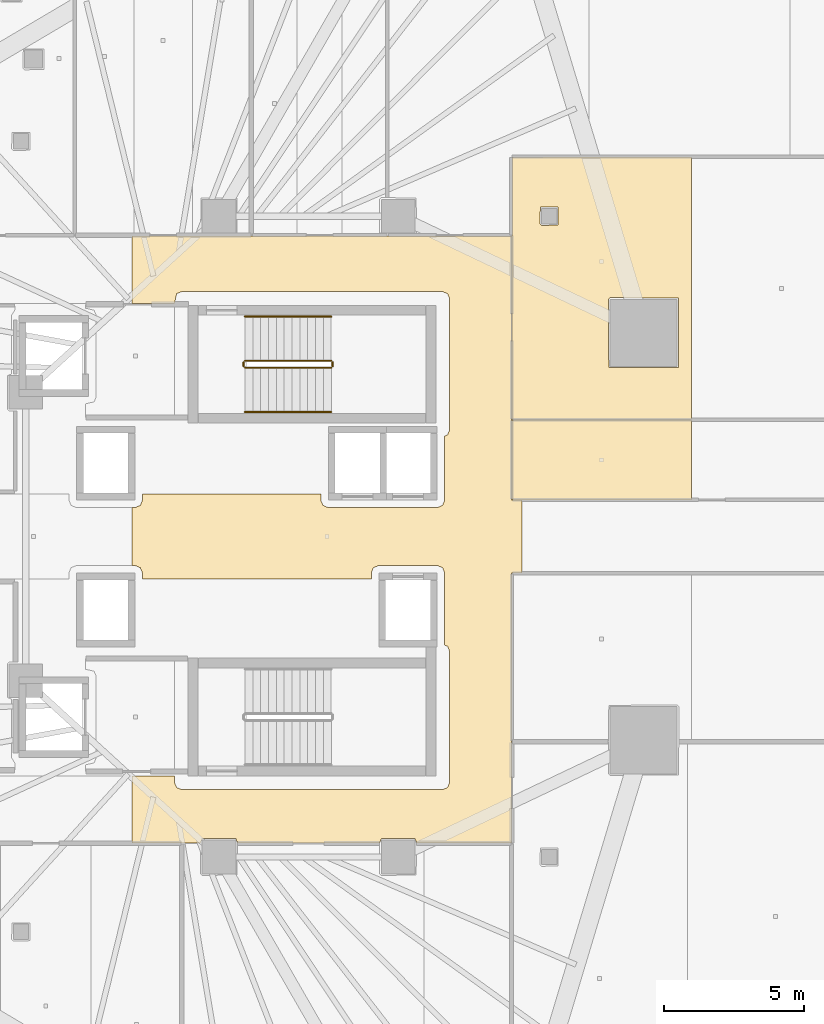
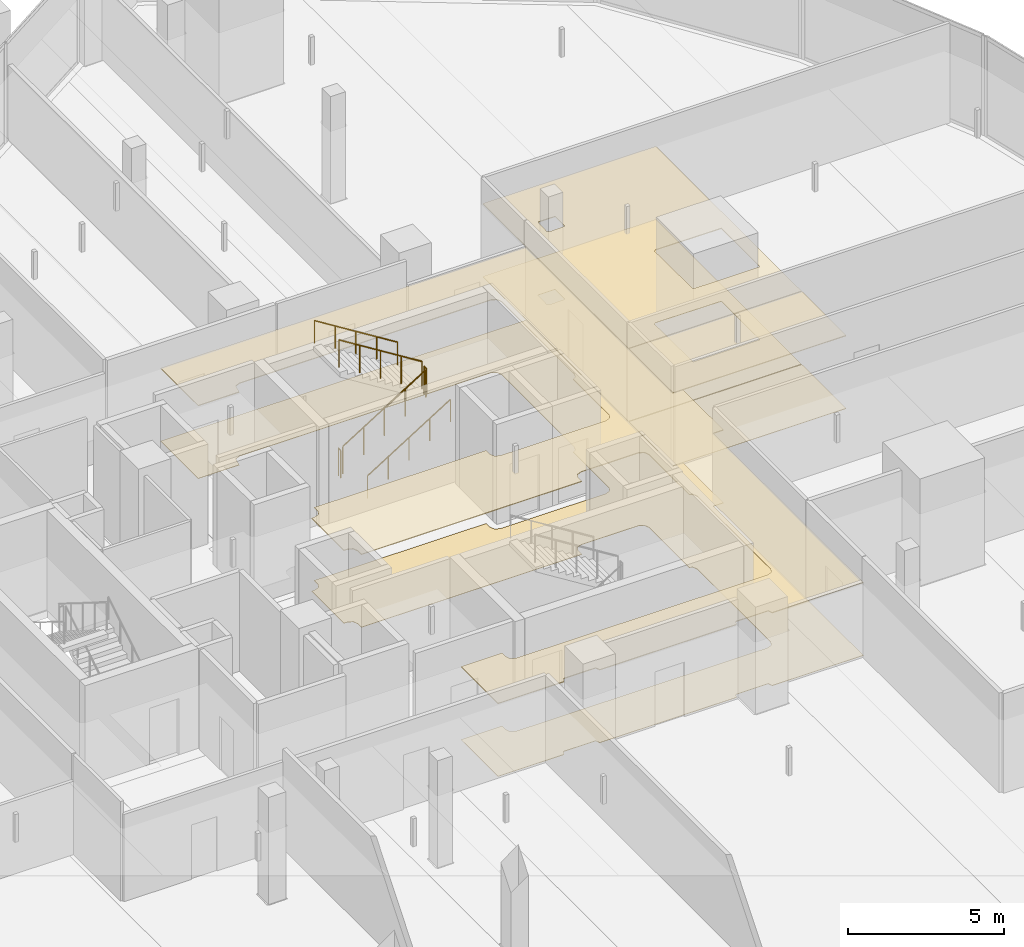
# One storey, part 43 of 44: 6 coverings, 6 railings.
"""IFC4 building model written with IfcOpenShell, lengths in metres."""

from ifc_helpers import new_model, si_unit, direction, frame, origin, origin_2d, place, context, subcontext, project, spatial, polyline, circle, outline, extrude, material, layer, layer_set, type_object, element, save


model = new_model("IFC4")

# Units and contexts
model_context = context("Model", 3, precision=1e-05, world=origin(), true_north=direction((0.0, 1.0)))
body_context = subcontext(model_context, "Body", "Model", "MODEL_VIEW")
ifc_project = project(units=[si_unit("LENGTHUNIT", "METRE"), si_unit("AREAUNIT", "SQUARE_METRE"), si_unit("VOLUMEUNIT", "CUBIC_METRE"), si_unit("PLANEANGLEUNIT", "RADIAN"), si_unit("MASSUNIT", "GRAM", prefix="KILO")], contexts=[model_context])

# Site, building, storey
site_placement = place(None, origin())
site = spatial("IfcSite", under=ifc_project, at=site_placement, CompositionType="ELEMENT")
building_placement = place(site_placement, origin())
building = spatial("IfcBuilding", under=site, at=building_placement, Name="Qorvath Tower", CompositionType="ELEMENT")
storey_placement = place(building_placement, frame((0.0, 0.0, 70.199951171875)))
storey = spatial("IfcBuildingStorey", under=building, at=storey_placement, Name="L15", CompositionType="ELEMENT", Elevation=70.199951171875)

# Coverings
ifc_material_1 = material(Name="Acoustic mineral fibre ceiling tile", Category="gypsum")
ifc_layer_1 = layer(ifc_material_1, 0.030029296875)
ifc_layer_set_1 = layer_set([ifc_layer_1], Name="COV-CEIL")
covering_type_1 = type_object("IfcCoveringType", Name="COV-CEIL", PredefinedType="CEILING", material=ifc_layer_set_1)
covering_1_placement = place(storey_placement, frame((0.0, 0.0, 2.85009765625)))
element("IfcCovering", 1, at=covering_1_placement, inside=storey, type_object=covering_type_1, Name="L15 Suspended Acoustic Ceiling 007", PredefinedType="CEILING", context=body_context, shape_type="SweptSolid", body=[
    extrude(outline(polyline([(-13.155029296875, 1.300048828125), (-13.155029296875, 10.7451171875), (-26.71240234375, 10.7451171875), (-26.71240234375, 8.324951171875), (-25.18994140625, 8.324951171875), (-25.11669921875, 8.6767578125), (-24.93994140625, 8.75), (-15.610107421875, 8.75), (-15.433349609375, 8.6767578125), (-15.360107421875, 8.5), (-15.360107421875, 3.81005859375), (-15.433349609375, 3.63330078125), (-15.5400390625, 3.589111328125), (-15.5400390625, 1.2900390625), (-15.61328125, 1.11328125), (-15.7900390625, 1.0400390625), (-19.7099609375, 1.0400390625), (-19.88671875, 1.11328125), (-19.9599609375, 1.2900390625), (-19.9599609375, 1.514892578125), (-26.340087890625, 1.514892578125), (-26.340087890625, 1.2900390625), (-26.413330078125, 1.11328125), (-26.590087890625, 1.0400390625), (-26.71240234375, 1.0400390625), (-26.71240234375, -1.0400390625), (-26.590087890625, -1.0400390625), (-26.413330078125, -1.11328125), (-26.340087890625, -1.2900390625), (-26.340087890625, -1.514892578125), (-18.159912109375, -1.514892578125), (-18.159912109375, -1.2900390625), (-18.086669921875, -1.11328125), (-17.909912109375, -1.0400390625), (-15.7900390625, -1.0400390625), (-15.61328125, -1.11328125), (-15.5400390625, -1.2900390625), (-15.5400390625, -3.879150390625), (-15.433349609375, -3.92333984375), (-15.360107421875, -4.10009765625), (-15.360107421875, -8.7900390625), (-15.433349609375, -8.966796875), (-15.610107421875, -9.0400390625), (-24.93994140625, -9.0400390625), (-25.11669921875, -8.966796875), (-25.18994140625, -8.7900390625), (-25.18994140625, -8.56396484375), (-26.71240234375, -8.564208984375), (-26.71240234375, -10.945068359375), (-24.260009765625, -10.945068359375), (-24.199951171875, -10.7900390625), (-23.0, -10.7900390625), (-22.93994140625, -10.945068359375), (-17.860107421875, -10.945068359375), (-17.800048828125, -10.7900390625), (-16.60009765625, -10.7900390625), (-16.5400390625, -10.945068359375), (-13.155029296875, -10.945068359375), (-13.153564453125, -1.29638671875), (-12.780029296875, -1.29638671875), (-12.780029296875, 1.2998046875), (-13.155029296875, 1.300048828125)])), origin(), (0.0, 0.0, 1.0), 0.030029296875),
])
covering_2_placement = place(storey_placement, frame((0.0, 0.0, 2.85009765625)))
element("IfcCovering", 2, at=covering_2_placement, inside=storey, type_object=covering_type_1, Name="L15 Suspended Acoustic Ceiling 029", PredefinedType="CEILING", context=body_context, shape_type="SweptSolid", body=[
    extrude(outline(polyline([(-6.71728515625, 1.31298828125), (-6.71728515625, 4.160888671875), (-13.136962890625, 4.160888671875), (-13.136962890625, 1.31298828125), (-6.71728515625, 1.31298828125)])), origin(), (0.0, 0.0, 1.0), 0.030029296875),
])
covering_3_placement = place(storey_placement, frame((0.0, 0.0, 2.85009765625)))
element("IfcCovering", 3, at=covering_3_placement, inside=storey, type_object=covering_type_1, Name="L15 Suspended Acoustic Ceiling 031", PredefinedType="CEILING", context=body_context, shape_type="SweptSolid", body=[
    extrude(outline(polyline([(-6.71728515625, 4.178955078125), (-6.71728515625, 13.556396484375), (-13.136962890625, 13.5517578125), (-13.136962890625, 4.178955078125), (-6.71728515625, 4.178955078125)]), holes=[polyline([(-9.690185546875, 8.476318359375), (-9.63037109375, 8.536376953125), (-7.18798828125, 8.518798828125), (-7.18798828125, 6.033935546875), (-9.672607421875, 6.033935546875), (-9.690185546875, 8.476318359375)]), polyline([(-12.135009765625, 11.175048828125), (-12.117431640625, 11.767333984375), (-11.482666015625, 11.767333984375), (-11.482666015625, 11.132568359375), (-12.074951171875, 11.114990234375), (-12.135009765625, 11.175048828125)])]), origin(), (0.0, 0.0, 1.0), 0.030029296875),
])
ifc_material_2 = material(Name="Low-VOC modular carpet tile", Category="textile")
ifc_layer_2 = layer(ifc_material_2, 0.014892578125)
ifc_layer_set_2 = layer_set([ifc_layer_2], Name="COV-FLOOR-CPT")
covering_type_2 = type_object("IfcCoveringType", Name="COV-FLOOR-CPT", PredefinedType="FLOORING", material=ifc_layer_set_2)
covering_4_placement = place(storey_placement, origin())
element("IfcCovering", 4, at=covering_4_placement, inside=storey, type_object=covering_type_2, Name="L15 Floor Finish 029", PredefinedType="FLOORING", context=body_context, shape_type="SweptSolid", body=[
    extrude(outline(polyline([(-6.71728515625, 1.31298828125), (-6.71728515625, 4.160888671875), (-13.136962890625, 4.160888671875), (-13.136962890625, 1.31298828125), (-6.71728515625, 1.31298828125)])), origin(), (0.0, 0.0, 1.0), 0.01513671875),
])
covering_5_placement = place(storey_placement, origin())
element("IfcCovering", 5, at=covering_5_placement, inside=storey, type_object=covering_type_2, Name="L15 Floor Finish 031", PredefinedType="FLOORING", context=body_context, shape_type="SweptSolid", body=[
    extrude(outline(polyline([(-6.71728515625, 4.178955078125), (-6.71728515625, 13.556396484375), (-13.136962890625, 13.5517578125), (-13.136962890625, 4.178955078125), (-6.71728515625, 4.178955078125)]), holes=[polyline([(-9.690185546875, 8.476318359375), (-9.63037109375, 8.536376953125), (-7.18798828125, 8.518798828125), (-7.18798828125, 6.033935546875), (-9.672607421875, 6.033935546875), (-9.690185546875, 8.476318359375)]), polyline([(-12.135009765625, 11.175048828125), (-12.117431640625, 11.767333984375), (-11.482666015625, 11.767333984375), (-11.482666015625, 11.132568359375), (-12.074951171875, 11.114990234375), (-12.135009765625, 11.175048828125)])]), origin(), (0.0, 0.0, 1.0), 0.01513671875),
])
ifc_material_3 = material(Name="Polished epoxy terrazzo flooring", Category="concrete")
ifc_layer_3 = layer(ifc_material_3, 0.02001953125)
ifc_layer_set_3 = layer_set([ifc_layer_3], Name="COV-FLOOR-TRZ")
covering_type_3 = type_object("IfcCoveringType", Name="COV-FLOOR-TRZ", PredefinedType="FLOORING", material=ifc_layer_set_3)
covering_6_placement = place(storey_placement, origin())
element("IfcCovering", 6, at=covering_6_placement, inside=storey, type_object=covering_type_3, Name="L15 Floor Finish 007", PredefinedType="FLOORING", context=body_context, shape_type="SweptSolid", body=[
    extrude(outline(polyline([(-13.155029296875, 1.300048828125), (-13.155029296875, 10.7451171875), (-26.71240234375, 10.7451171875), (-26.71240234375, 8.324951171875), (-25.18994140625, 8.324951171875), (-25.11669921875, 8.6767578125), (-24.93994140625, 8.75), (-15.610107421875, 8.75), (-15.433349609375, 8.6767578125), (-15.360107421875, 8.5), (-15.360107421875, 3.81005859375), (-15.433349609375, 3.63330078125), (-15.5400390625, 3.589111328125), (-15.5400390625, 1.2900390625), (-15.61328125, 1.11328125), (-15.7900390625, 1.0400390625), (-19.7099609375, 1.0400390625), (-19.88671875, 1.11328125), (-19.9599609375, 1.2900390625), (-19.9599609375, 1.514892578125), (-26.340087890625, 1.514892578125), (-26.340087890625, 1.2900390625), (-26.413330078125, 1.11328125), (-26.590087890625, 1.0400390625), (-26.71240234375, 1.0400390625), (-26.71240234375, -1.0400390625), (-26.590087890625, -1.0400390625), (-26.413330078125, -1.11328125), (-26.340087890625, -1.2900390625), (-26.340087890625, -1.514892578125), (-18.159912109375, -1.514892578125), (-18.159912109375, -1.2900390625), (-18.086669921875, -1.11328125), (-17.909912109375, -1.0400390625), (-15.7900390625, -1.0400390625), (-15.61328125, -1.11328125), (-15.5400390625, -1.2900390625), (-15.5400390625, -3.879150390625), (-15.433349609375, -3.92333984375), (-15.360107421875, -4.10009765625), (-15.360107421875, -8.7900390625), (-15.433349609375, -8.966796875), (-15.610107421875, -9.0400390625), (-24.93994140625, -9.0400390625), (-25.11669921875, -8.966796875), (-25.18994140625, -8.7900390625), (-25.18994140625, -8.56396484375), (-26.71240234375, -8.564208984375), (-26.71240234375, -10.945068359375), (-24.260009765625, -10.945068359375), (-24.199951171875, -10.7900390625), (-23.0, -10.7900390625), (-22.93994140625, -10.945068359375), (-17.860107421875, -10.945068359375), (-17.800048828125, -10.7900390625), (-16.60009765625, -10.7900390625), (-16.5400390625, -10.945068359375), (-13.155029296875, -10.945068359375), (-13.153564453125, -1.29638671875), (-12.780029296875, -1.29638671875), (-12.780029296875, 1.2998046875), (-13.155029296875, 1.300048828125)])), origin(), (0.0, 0.0, 1.0), 0.01513671875),
])

# Railings
ifc_material_4 = material(Name="Painted galvanised steel", Category="steel")
railing_type_1 = type_object("IfcRailingType", Name="RL-STR-GRD", PredefinedType="GUARDRAIL", material=ifc_material_4)
railing_1_placement = place(storey_placement, frame((-22.669921875, 6.030029296875, 0.175048828125)))
element("IfcRailing", 7, at=railing_1_placement, inside=storey, type_object=railing_type_1, Name="L15 TS1 stair guard 1", PredefinedType="GUARDRAIL", context=body_context, shape_type="SweptSolid", body=[
    extrude(circle(Radius=0.02392578125, at=origin_2d()), frame((0.0, 0.0, 1.076171875), z_axis=(0.847979421464, 0.0, 0.530029150871), x_axis=(0.0, 1.0, 0.0)), (0.0, 0.0, 1.0), 3.632080078125),
    extrude(circle(Radius=0.02099609375, at=origin_2d()), origin(), (0.0, 0.0, 1.0), 1.052001953125),
    extrude(circle(Radius=0.02099609375, at=origin_2d()), frame((0.77001953125, 0.0, 0.481201171875)), (0.0, 0.0, 1.0), 1.052001953125),
    extrude(circle(Radius=0.02099609375, at=origin_2d()), frame((1.5400390625, 0.0, 0.96240234375)), (0.0, 0.0, 1.0), 1.052001953125),
    extrude(circle(Radius=0.02099609375, at=origin_2d()), frame((2.309814453125, 0.0, 1.44384765625)), (0.0, 0.0, 1.0), 1.052001953125),
    extrude(circle(Radius=0.02099609375, at=origin_2d()), frame((3.079833984375, 0.0, 1.925048828125)), (0.0, 0.0, 1.0), 1.052001953125),
])
railing_2_placement = place(storey_placement, frame((-19.5400390625, 6.080078125, 2.10009765625)))
element("IfcRailing", 8, at=railing_2_placement, inside=storey, type_object=railing_type_1, Name="L15 TS1 stair guard 2", PredefinedType="GUARDRAIL", context=body_context, shape_type="SweptSolid", body=[
    extrude(circle(Radius=0.02392578125, at=origin_2d()), frame((0.0, 0.0, 1.076171875), z_axis=(0.0, 1.0, 0.0), x_axis=(-1.0, 0.0, 0.0)), (0.0, 0.0, 1.0), 0.14990234375),
    extrude(circle(Radius=0.02099609375, at=origin_2d()), origin(), (0.0, 0.0, 1.0), 1.052001953125),
    extrude(circle(Radius=0.02099609375, at=origin_2d()), frame((0.0, 0.14990234375, 0.0)), (0.0, 0.0, 1.0), 1.052001953125),
])
railing_3_placement = place(storey_placement, frame((-19.590087890625, 6.280029296875, 2.275146484375)))
element("IfcRailing", 9, at=railing_3_placement, inside=storey, type_object=railing_type_1, Name="L15 TS1 stair guard 3", PredefinedType="GUARDRAIL", context=body_context, shape_type="SweptSolid", body=[
    extrude(circle(Radius=0.02392578125, at=origin_2d()), frame((0.0, 0.0, 1.076171875), z_axis=(-0.848009633417, 0.0, 0.529980812513), x_axis=(0.0, -1.0, 0.0)), (0.0, 0.0, 1.0), 3.6318359375),
    extrude(circle(Radius=0.02099609375, at=origin_2d()), origin(), (0.0, 0.0, 1.0), 1.052001953125),
    extrude(circle(Radius=0.02099609375, at=origin_2d()), frame((-0.77001953125, 0.0, 0.481201171875)), (0.0, 0.0, 1.0), 1.052001953125),
    extrude(circle(Radius=0.02099609375, at=origin_2d()), frame((-1.5400390625, 0.0, 0.96240234375)), (0.0, 0.0, 1.0), 1.052001953125),
    extrude(circle(Radius=0.02099609375, at=origin_2d()), frame((-2.309814453125, 0.0, 1.443603515625)), (0.0, 0.0, 1.0), 1.052001953125),
    extrude(circle(Radius=0.02099609375, at=origin_2d()), frame((-3.079833984375, 0.0, 1.9248046875)), (0.0, 0.0, 1.0), 1.052001953125),
])
railing_4_placement = place(storey_placement, frame((-22.719970703125, 6.080078125, 0.0)))
element("IfcRailing", 10, at=railing_4_placement, inside=storey, type_object=railing_type_1, Name="L15 TS1 stair guard 4", PredefinedType="GUARDRAIL", context=body_context, shape_type="SweptSolid", body=[
    extrude(circle(Radius=0.02392578125, at=origin_2d()), frame((0.0, 0.0, 1.076171875), z_axis=(0.0, 1.0, 0.0), x_axis=(-1.0, 0.0, 0.0)), (0.0, 0.0, 1.0), 0.14990234375),
    extrude(circle(Radius=0.02099609375, at=origin_2d()), origin(), (0.0, 0.0, 1.0), 1.052001953125),
    extrude(circle(Radius=0.02099609375, at=origin_2d()), frame((0.0, 0.14990234375, 0.0)), (0.0, 0.0, 1.0), 1.052001953125),
])
ifc_material_5 = material(Name="Brushed stainless steel AISI 304", Category="steel")
railing_type_2 = type_object("IfcRailingType", Name="RL-STR-HND", PredefinedType="HANDRAIL", material=ifc_material_5)
railing_5_placement = place(storey_placement, frame((-22.669921875, 4.449951171875, 0.175048828125)))
element("IfcRailing", 11, at=railing_5_placement, inside=storey, type_object=railing_type_2, Name="L15 TS1 stair handrail 1", PredefinedType="HANDRAIL", context=body_context, shape_type="SweptSolid", body=[
    extrude(circle(Radius=0.02392578125, at=origin_2d()), frame((0.0, 0.0, 0.8759765625), z_axis=(0.847979421464, 0.0, 0.530029150871), x_axis=(0.0, 1.0, 0.0)), (0.0, 0.0, 1.0), 3.632080078125),
    extrude(circle(Radius=0.02099609375, at=origin_2d()), origin(), (0.0, 0.0, 1.0), 0.851806640625),
    extrude(circle(Radius=0.02099609375, at=origin_2d()), frame((0.77001953125, 0.0, 0.481201171875)), (0.0, 0.0, 1.0), 0.851806640625),
    extrude(circle(Radius=0.02099609375, at=origin_2d()), frame((1.5400390625, 0.0, 0.96240234375)), (0.0, 0.0, 1.0), 0.851806640625),
    extrude(circle(Radius=0.02099609375, at=origin_2d()), frame((2.309814453125, 0.0, 1.44384765625)), (0.0, 0.0, 1.0), 0.851806640625),
    extrude(circle(Radius=0.02099609375, at=origin_2d()), frame((3.079833984375, 0.0, 1.925048828125)), (0.0, 0.0, 1.0), 0.851806640625),
])
railing_6_placement = place(storey_placement, frame((-19.590087890625, 7.860107421875, 2.275146484375)))
element("IfcRailing", 12, at=railing_6_placement, inside=storey, type_object=railing_type_2, Name="L15 TS1 stair handrail 2", PredefinedType="HANDRAIL", context=body_context, shape_type="SweptSolid", body=[
    extrude(circle(Radius=0.02392578125, at=origin_2d()), frame((0.0, 0.0, 0.8759765625), z_axis=(-0.848009633417, 0.0, 0.529980812513), x_axis=(0.0, -1.0, 0.0)), (0.0, 0.0, 1.0), 3.6318359375),
    extrude(circle(Radius=0.02099609375, at=origin_2d()), origin(), (0.0, 0.0, 1.0), 0.851806640625),
    extrude(circle(Radius=0.02099609375, at=origin_2d()), frame((-0.77001953125, 0.0, 0.481201171875)), (0.0, 0.0, 1.0), 0.851806640625),
    extrude(circle(Radius=0.02099609375, at=origin_2d()), frame((-1.5400390625, 0.0, 0.96240234375)), (0.0, 0.0, 1.0), 0.851806640625),
    extrude(circle(Radius=0.02099609375, at=origin_2d()), frame((-2.309814453125, 0.0, 1.443603515625)), (0.0, 0.0, 1.0), 0.851806640625),
    extrude(circle(Radius=0.02099609375, at=origin_2d()), frame((-3.079833984375, 0.0, 1.9248046875)), (0.0, 0.0, 1.0), 0.851806640625),
])

save(model, "model.ifc")
